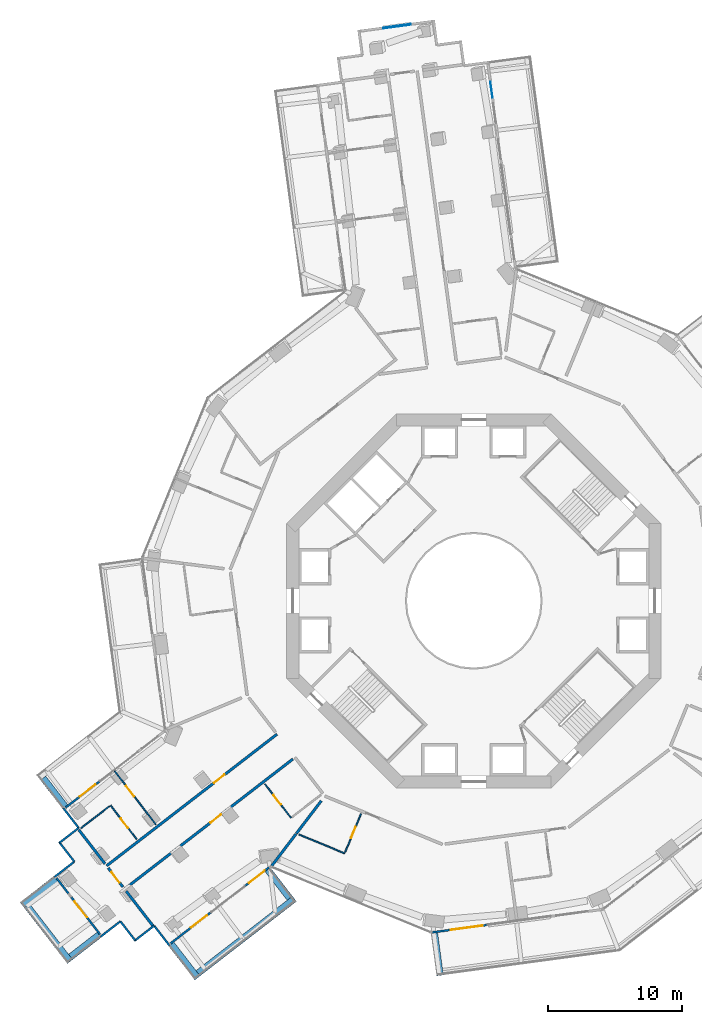
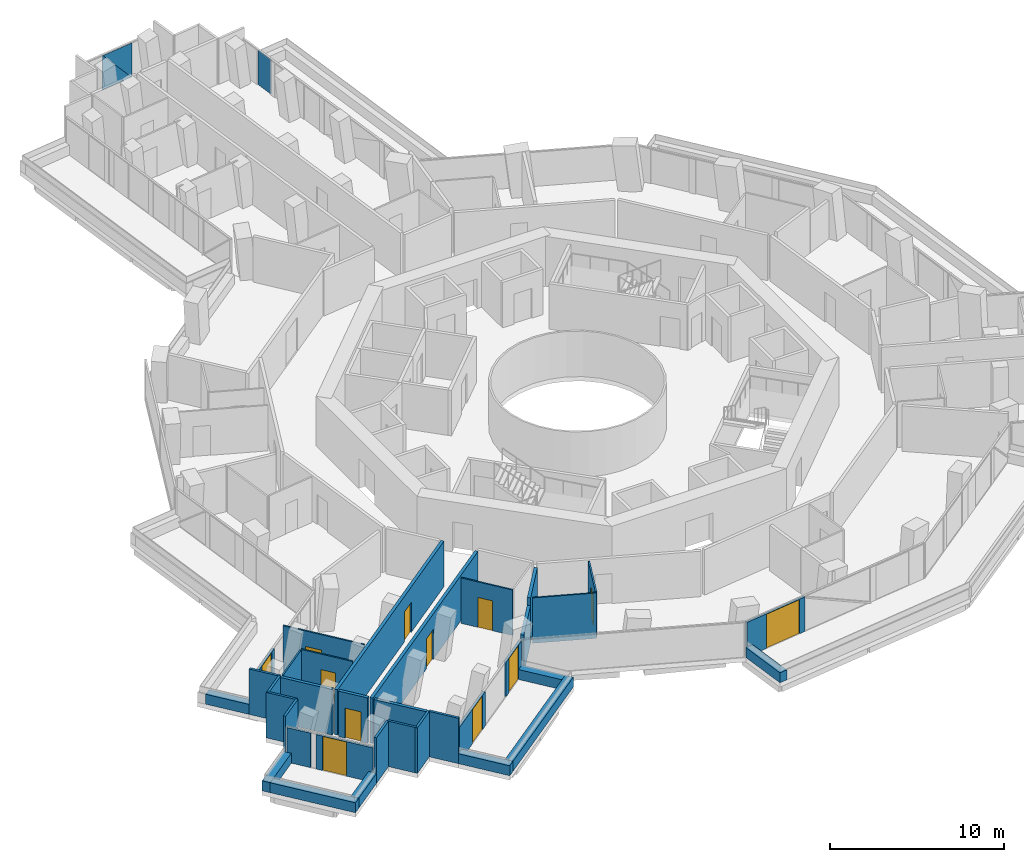
# One storey, part 18 of 27: 35 walls, 12 doors, 3 plates, 12 openings, 2 elements without a shape of their own.
"""IFC4 building model written with IfcOpenShell, lengths in metres."""

import ifcopenshell
import ifcopenshell.guid

model = None  # the IFC model being written
_history = None  # IfcOwnerHistory: only IFC2X3 demands one
_inside = {}  # id of a spatial element -> (the spatial element, [elements in it])
_under = {}  # id of a project, library or spatial element -> (it, [spatial elements below it])
_declared = {}  # id of a project -> (the project, [libraries it declares])
_typed = {}  # id of a type object -> (the type object, [elements of that type])
_made_of = {}  # id of a material, layer set ... -> (it, [elements and type objects made of it])


def new_model(schema):
    """Start an empty IFC model of exactly this schema.

    Asked for "IFC4X3", IfcOpenShell would pick the latest addendum, in which some entities
    have other attributes; the version numbers below select the first issue.
    IFC2X3 requires an IfcOwnerHistory on every rooted entity: one is made here for all.
    """
    global model, _history
    if schema == "IFC4X3":
        model = ifcopenshell.file(schema_version=(4, 3, 0, 0))
    else:
        model = ifcopenshell.file(schema=schema)
    _inside.clear()
    _under.clear()
    _declared.clear()
    _typed.clear()
    _made_of.clear()
    _history = None
    if model.schema == "IFC2X3":
        org = make("IfcOrganization", Name="unknown")
        user = make(
            "IfcPersonAndOrganization",
            ThePerson=make("IfcPerson", FamilyName="unknown"),
            TheOrganization=org,
        )
        app = make(
            "IfcApplication",
            ApplicationDeveloper=org,
            Version="unknown",
            ApplicationFullName="unknown",
            ApplicationIdentifier="unknown",
        )
        _history = make(
            "IfcOwnerHistory",
            OwningUser=user,
            OwningApplication=app,
            ChangeAction="ADDED",
            CreationDate=0,
        )
    return model


def make(cls, **values):
    """One entity of the class cls with the attributes given. An attribute that is None is left unset."""
    return model.create_entity(
        cls, **{name: value for name, value in values.items() if value is not None}
    )


def rooted(cls, **values):
    """An entity with a GlobalId (a new one), such as an element, a storey or a relation."""
    return make(cls, GlobalId=ifcopenshell.guid.new(), OwnerHistory=_history, **values)


def si_unit(unit_type, name, prefix=None):
    """IfcSIUnit, for example si_unit("LENGTHUNIT", "METRE", prefix="MILLI")."""
    return make("IfcSIUnit", UnitType=unit_type, Prefix=prefix, Name=name)


def assignment(units):
    """IfcUnitAssignment: the units of a project."""
    return None if units is None else make("IfcUnitAssignment", Units=units)


def point(xyz):
    """IfcCartesianPoint."""
    return None if xyz is None else make("IfcCartesianPoint", Coordinates=xyz)


def direction(xyz):
    """IfcDirection."""
    return None if xyz is None else make("IfcDirection", DirectionRatios=xyz)


def frame(location, z_axis=None, x_axis=None):
    """IfcAxis2Placement3D, a coordinate frame: its origin and axes. An axis left out is left unset."""
    return make(
        "IfcAxis2Placement3D",
        Location=point(location),
        Axis=direction(z_axis),
        RefDirection=direction(x_axis),
    )


def frame_2d(location, x_axis=None):
    """IfcAxis2Placement2D, a coordinate frame in the plane: its origin and x axis."""
    return make(
        "IfcAxis2Placement2D", Location=point(location), RefDirection=direction(x_axis)
    )


def origin():
    """The frame at (0, 0, 0) with its axes left unset."""
    return frame((0.0, 0.0, 0.0))


def origin_2d():
    """The frame at (0, 0) in the plane with its x axis left unset."""
    return frame_2d((0.0, 0.0))


def place(relative_to, where):
    """IfcLocalPlacement: puts the frame where relative to a parent placement (None: the world)."""
    return make(
        "IfcLocalPlacement", PlacementRelTo=relative_to, RelativePlacement=where
    )


def context(
    kind, dimensions, precision=None, world=None, true_north=None, identifier=None
):
    """IfcGeometricRepresentationContext, for example the 3D "Model" context."""
    return make(
        "IfcGeometricRepresentationContext",
        ContextIdentifier=identifier,
        ContextType=kind,
        CoordinateSpaceDimension=dimensions,
        Precision=precision,
        WorldCoordinateSystem=world,
        TrueNorth=true_north,
    )


def subcontext(parent, identifier, kind, view, scale=None):
    """IfcGeometricRepresentationSubContext, for example "Body" below "Model"."""
    return make(
        "IfcGeometricRepresentationSubContext",
        ContextIdentifier=identifier,
        ContextType=kind,
        ParentContext=parent,
        TargetScale=scale,
        TargetView=view,
    )


def project(units=None, contexts=None):
    """IfcProject with its units and contexts."""
    return rooted(
        "IfcProject",
        Name="project",
        RepresentationContexts=contexts,
        UnitsInContext=assignment(units),
    )


def spatial(cls, under=None, at=None, **own):
    """A site, building, storey or space (cls), placed at a placement, below another one or the project."""
    s = rooted(cls, ObjectPlacement=at, **own)
    if under is not None:
        _under.setdefault(under.id(), (under, []))[1].append(s)
    return s


def polyline(points):
    """IfcPolyline through the points."""
    return make("IfcPolyline", Points=[point(p) for p in points])


def profile(cls, at=None, kind="AREA", **sizes):
    """A parametric profile (cls). Its sizes go by their IFC names, for example OverallWidth=200.0."""
    return make(cls, ProfileType=kind, Position=at, **sizes)


def rectangle(**sizes):
    """IfcRectangleProfileDef."""
    return profile("IfcRectangleProfileDef", **sizes)


def outline(outer, holes=None, kind="AREA"):
    """IfcArbitraryClosedProfileDef: a profile drawn as a closed curve; with holes, ...WithVoids."""
    if holes is None:
        return make("IfcArbitraryClosedProfileDef", ProfileType=kind, OuterCurve=outer)
    return make(
        "IfcArbitraryProfileDefWithVoids",
        ProfileType=kind,
        OuterCurve=outer,
        InnerCurves=holes,
    )


def extrude(swept, where, along, depth):
    """IfcExtrudedAreaSolid: the profile swept, set in the frame where, extruded along a direction by depth."""
    return make(
        "IfcExtrudedAreaSolid",
        SweptArea=swept,
        Position=where,
        ExtrudedDirection=direction(along),
        Depth=depth,
    )


def shape(context_of_items, identifier, shape_type, items):
    """IfcShapeRepresentation: the items that make up one representation, for example the "Body"."""
    return make(
        "IfcShapeRepresentation",
        ContextOfItems=context_of_items,
        RepresentationIdentifier=identifier,
        RepresentationType=shape_type,
        Items=items,
    )


def material(Name=None, Category=None):
    """IfcMaterial."""
    return make("IfcMaterial", Name=Name, Category=Category)


def layer(
    of_material, thickness, ventilated=None, Name=None, Category=None, Priority=None
):
    """IfcMaterialLayer: one layer of a wall or slab, of a material (None: an air gap)."""
    return make(
        "IfcMaterialLayer",
        Material=of_material,
        LayerThickness=thickness,
        IsVentilated=ventilated,
        Name=Name,
        Category=Category,
        Priority=Priority,
    )


def layer_set(layers, Name=None):
    """IfcMaterialLayerSet."""
    return make("IfcMaterialLayerSet", MaterialLayers=layers, LayerSetName=Name)


def made_of(thing, what):
    """Note that an element or type object is made of a material, layer set ...; save() writes the relation."""
    if what is not None:
        _made_of.setdefault(what.id(), (what, []))[1].append(thing)
    return thing


def type_object(cls, material=None, **own):
    """A type object (cls), such as IfcWallType, which elements share."""
    return made_of(rooted(cls, **own), material)


def element(
    cls,
    number,
    at=None,
    inside=None,
    cuts=None,
    type_object=None,
    material=None,
    context=None,
    identifier="Body",
    shape_type=None,
    held_by="IfcProductDefinitionShape",
    body=None,
    shapes=None,
    **own,
):
    """One element of the class cls, such as IfcWall. Its Tag is "e" and its number.

    at: its placement. inside: the storey or other place that contains it. cuts: it is an
    opening in that element (IfcRelVoidsElement). A single representation is given by context,
    identifier, shape_type and body (its items); several are given by shapes. held_by: the class
    of the entity that holds the representations. save() writes the other relations.
    """
    e = rooted(cls, Tag="e%d" % number, ObjectPlacement=at, **own)
    if body is not None:
        shapes = [shape(context, identifier, shape_type, body)]
    if shapes is not None:
        e.Representation = make(held_by, Representations=shapes)
    if inside is not None:
        _inside.setdefault(inside.id(), (inside, []))[1].append(e)
    if cuts is not None:
        rooted(
            "IfcRelVoidsElement", RelatingBuildingElement=cuts, RelatedOpeningElement=e
        )
    if type_object is not None:
        _typed.setdefault(type_object.id(), (type_object, []))[1].append(e)
    return made_of(e, material)


def fill(opening, filler):
    """IfcRelFillsElement: the door or window that sits in an opening."""
    return rooted(
        "IfcRelFillsElement",
        RelatingOpeningElement=opening,
        RelatedBuildingElement=filler,
    )


def aggregate(whole, parts):
    """IfcRelAggregates: a whole, such as a stair, and the parts it consists of."""
    return rooted("IfcRelAggregates", RelatingObject=whole, RelatedObjects=parts)


def save(model, path):
    """Write the relations noted so far, then the file.

    IfcRelAggregates (storeys below a building ...), IfcRelContainedInSpatialStructure (elements
    in a storey), IfcRelDefinesByType, IfcRelAssociatesMaterial and IfcRelDeclares: one each for
    every whole, place, type object, material and project.
    """
    for whole, parts in _under.values():
        aggregate(whole, parts)
    for where, things in _inside.values():
        rooted(
            "IfcRelContainedInSpatialStructure",
            RelatedElements=things,
            RelatingStructure=where,
        )
    for kind, things in _typed.values():
        rooted("IfcRelDefinesByType", RelatedObjects=things, RelatingType=kind)
    for what, things in _made_of.values():
        rooted("IfcRelAssociatesMaterial", RelatedObjects=things, RelatingMaterial=what)
    for by, libraries in _declared.values():
        rooted("IfcRelDeclares", RelatingContext=by, RelatedDefinitions=libraries)
    model.write(path)


model = new_model("IFC4")

# Units and contexts
model_context = context("Model", 3, precision=1e-05, world=origin(), true_north=direction((0.0, 1.0)))
body_context = subcontext(model_context, "Body", "Model", "MODEL_VIEW")
ifc_project = project(units=[si_unit("LENGTHUNIT", "METRE"), si_unit("AREAUNIT", "SQUARE_METRE"), si_unit("VOLUMEUNIT", "CUBIC_METRE"), si_unit("PLANEANGLEUNIT", "RADIAN"), si_unit("MASSUNIT", "GRAM", prefix="KILO")], contexts=[model_context])

# Site, building, storey
site_placement = place(None, origin())
site = spatial("IfcSite", under=ifc_project, at=site_placement, CompositionType="ELEMENT")
building_placement = place(site_placement, origin())
building = spatial("IfcBuilding", under=site, at=building_placement, Name="Verdalira Terraces Hotel", CompositionType="ELEMENT")
storey_placement = place(building_placement, frame((0.0, 0.0, 64.5)))
storey = spatial("IfcBuildingStorey", under=building, at=storey_placement, Name="L14", CompositionType="ELEMENT", Elevation=64.5)

# Curtain wall, plate
ifc_material_1 = material(Name="Clear glass", Category="glass")
ifc_layer_1 = layer(ifc_material_1, 0.14990234375)
ifc_layer_set_1 = layer_set([ifc_layer_1], Name="CW2 curtain wall")
curtain_wall_type_1 = type_object("IfcCurtainWallType", Name="CW2 curtain wall", PredefinedType="NOTDEFINED", material=ifc_layer_set_1)
curtain_wall_1_placement = place(storey_placement, origin())
curtain_wall_1 = element("IfcCurtainWall", 1, at=curtain_wall_1_placement, inside=storey, type_object=curtain_wall_type_1, Name="CW2 curtain wall L14 edge 0", PredefinedType="NOTDEFINED")
ifc_material_2 = material(Name="Clear glass", Category="glass")
ifc_layer_2 = layer(ifc_material_2, 0.031982421875)
ifc_layer_set_2 = layer_set([ifc_layer_2], Name="CW2 glass unit 32")
plate_type_1 = type_object("IfcPlateType", Name="CW2 glass unit 32", PredefinedType="CURTAIN_PANEL", material=ifc_layer_set_2)
plate_1_placement = place(storey_placement, frame((1.324219, 38.257812, 0.0), z_axis=(0.0, 0.0, 1.0), x_axis=(-0.133640259, 0.991029909, 0.0)))
plate_1 = element("IfcPlate", 2, at=plate_1_placement, type_object=plate_type_1, Name="CW2 glass unit", PredefinedType="CURTAIN_PANEL", context=body_context, shape_type="SweptSolid", body=[
    extrude(rectangle(XDim=1.230469, YDim=0.031982, at=origin_2d()), origin(), (0.0, 0.0, 1.0), 2.425049),
])
aggregate(curtain_wall_1, [plate_1])

# Curtain wall, plates
ifc_material_3 = material(Name="Clear glass", Category="glass")
ifc_layer_3 = layer(ifc_material_3, 0.14990234375)
ifc_layer_set_3 = layer_set([ifc_layer_3], Name="CW3 curtain wall")
curtain_wall_type_2 = type_object("IfcCurtainWallType", Name="CW3 curtain wall", PredefinedType="NOTDEFINED", material=ifc_layer_set_3)
curtain_wall_2_placement = place(storey_placement, origin())
curtain_wall_2 = element("IfcCurtainWall", 3, at=curtain_wall_2_placement, inside=storey, type_object=curtain_wall_type_2, Name="CW3 curtain wall L14 edge 5", PredefinedType="NOTDEFINED")
ifc_material_4 = material(Name="Clear glass", Category="glass")
ifc_layer_4 = layer(ifc_material_4, 0.035888671875)
ifc_layer_set_4 = layer_set([ifc_layer_4], Name="CW3 glass unit 36")
plate_type_2 = type_object("IfcPlateType", Name="CW3 glass unit 36", PredefinedType="CURTAIN_PANEL", material=ifc_layer_set_4)
plate_2_placement = place(storey_placement, frame((-5.74292, 43.004639, 1.212402), z_axis=(-0.133640259, 0.991029909, 0.0), x_axis=(-0.991029909, -0.133640259, 0.0)))
plate_2 = element("IfcPlate", 4, at=plate_2_placement, type_object=plate_type_2, Name="CW3 glass unit", PredefinedType="CURTAIN_PANEL", context=body_context, shape_type="SweptSolid", body=[
    extrude(outline(polyline([(-1.045898, -1.212402), (1.045898, -1.212402), (1.045898, 1.212402), (-1.045898, -1.212402)])), origin(), (0.0, 0.0, 1.0), 0.035889),
])
plate_3_placement = place(storey_placement, frame((-5.738037, 42.968018, 1.212402), z_axis=(-0.133640259, 0.991029909, 0.0), x_axis=(-0.991029909, -0.133640259, 0.0)))
plate_3 = element("IfcPlate", 5, at=plate_3_placement, type_object=plate_type_2, Name="CW3 glass unit", PredefinedType="CURTAIN_PANEL", context=body_context, shape_type="SweptSolid", body=[
    extrude(outline(polyline([(-1.045898, -1.212402), (1.045898, 1.212402), (-1.045898, 1.212402), (-1.045898, -1.212402)])), origin(), (0.0, 0.0, 1.0), 0.035889),
])
aggregate(curtain_wall_2, [plate_2, plate_3])

# Walls
ifc_material_5 = material(Name="Concrete C40", Category="concrete")
ifc_layer_5 = layer(ifc_material_5, 0.5)
ifc_layer_set_5 = layer_set([ifc_layer_5], Name="Balcony planter trough with tree")
wall_type_1 = type_object("IfcWallType", Name="Balcony planter trough with tree", PredefinedType="SOLIDWALL", material=ifc_layer_set_5)
wall_1_placement = place(storey_placement, frame((-32.239014, -13.274658, 0.0), z_axis=(0.0, 0.0, 1.0), x_axis=(0.61125699, -0.791432178, 0.0)))
element("IfcWall", 6, at=wall_1_placement, inside=storey, type_object=wall_type_1, Name="Balcony planter", PredefinedType="SOLIDWALL", context=body_context, shape_type="SweptSolid", body=[
    extrude(rectangle(XDim=2.699219, YDim=0.5, at=frame_2d((1.349609, 0.0))), origin(), (0.0, 0.0, 1.0), 0.699951),
])
wall_2_placement = place(storey_placement, frame((-31.283203, -20.8125, 0.0), z_axis=(0.0, 0.0, 1.0), x_axis=(-0.791439394, -0.611247647, 0.0)))
element("IfcWall", 7, at=wall_2_placement, inside=storey, type_object=wall_type_1, Name="Balcony planter", PredefinedType="SOLIDWALL", context=body_context, shape_type="SweptSolid", body=[
    extrude(rectangle(XDim=3.198975, YDim=0.5, at=frame_2d((1.599609, 0.0))), origin(), (0.0, 0.0, 1.0), 0.699951),
])
wall_3_placement = place(storey_placement, frame((-33.464355, -22.812988, 0.0), z_axis=(0.0, 0.0, 1.0), x_axis=(0.611267878, -0.791423769, 0.0)))
element("IfcWall", 8, at=wall_3_placement, inside=storey, type_object=wall_type_1, Name="Balcony planter", PredefinedType="SOLIDWALL", context=body_context, shape_type="SweptSolid", body=[
    extrude(rectangle(XDim=5.300049, YDim=0.5, at=frame_2d((2.649902, 0.0))), origin(), (0.0, 0.0, 1.0), 0.699951),
])
wall_4_placement = place(storey_placement, frame((-30.179443, -26.656982, 0.0), z_axis=(0.0, 0.0, 1.0), x_axis=(0.791398379, 0.611300748, 0.0)))
element("IfcWall", 9, at=wall_4_placement, inside=storey, type_object=wall_type_1, Name="Balcony planter", PredefinedType="SOLIDWALL", context=body_context, shape_type="SweptSolid", body=[
    extrude(rectangle(XDim=2.698975, YDim=0.5, at=frame_2d((1.349609, 0.0))), origin(), (0.0, 0.0, 1.0), 0.699951),
])
wall_5_placement = place(storey_placement, frame((-22.641602, -25.701172, 0.0), z_axis=(0.0, 0.0, 1.0), x_axis=(0.611247647, -0.791439394, 0.0)))
element("IfcWall", 10, at=wall_5_placement, inside=storey, type_object=wall_type_1, Name="Balcony planter", PredefinedType="SOLIDWALL", context=body_context, shape_type="SweptSolid", body=[
    extrude(rectangle(XDim=3.198975, YDim=0.5, at=frame_2d((1.599609, 0.0))), origin(), (0.0, 0.0, 1.0), 0.699951),
])
wall_6_placement = place(storey_placement, frame((-20.641357, -27.88208, 0.0), z_axis=(0.0, 0.0, 1.0), x_axis=(0.791440382, 0.611246367, 0.0)))
element("IfcWall", 11, at=wall_6_placement, inside=storey, type_object=wall_type_1, Name="Balcony planter", PredefinedType="SOLIDWALL", context=body_context, shape_type="SweptSolid", body=[
    extrude(rectangle(XDim=9.121094, YDim=0.5, at=frame_2d((4.560547, 0.0))), origin(), (0.0, 0.0, 1.0), 0.699951),
])
wall_7_placement = place(storey_placement, frame((-13.773193, -22.261963, 0.0), z_axis=(0.0, 0.0, 1.0), x_axis=(-0.611300748, 0.791398379, 0.0)))
element("IfcWall", 12, at=wall_7_placement, inside=storey, type_object=wall_type_1, Name="Balcony planter", PredefinedType="SOLIDWALL", context=body_context, shape_type="SweptSolid", body=[
    extrude(rectangle(XDim=2.698975, YDim=0.5, at=frame_2d((1.349609, 0.0))), origin(), (0.0, 0.0, 1.0), 0.699951),
])
wall_8_placement = place(storey_placement, frame((-2.951904, -24.876953, 0.0), z_axis=(0.0, 0.0, 1.0), x_axis=(0.133628231, -0.991031531, 0.0)))
element("IfcWall", 13, at=wall_8_placement, inside=storey, type_object=wall_type_1, Name="Balcony planter", PredefinedType="SOLIDWALL", context=body_context, shape_type="SweptSolid", body=[
    extrude(rectangle(XDim=3.199219, YDim=0.5, at=frame_2d((1.599609, 0.0))), origin(), (0.0, 0.0, 1.0), 0.699951),
])
ifc_material_6 = material(Name="Moisture-resistant gypsum board partition")
ifc_layer_6 = layer(ifc_material_6, 0.10009765625)
ifc_layer_set_6 = layer_set([ifc_layer_6], Name="Bathroom partition 100 mm")
wall_type_2 = type_object("IfcWallType", Name="Bathroom partition 100 mm", PredefinedType="PARTITIONING", material=ifc_layer_set_6)
wall_9_placement = place(storey_placement, frame((-27.268799, -15.374512, 0.0), z_axis=(0.0, 0.0, 1.0), x_axis=(-0.791446045, -0.611239034, 0.0)))
element("IfcWall", 14, at=wall_9_placement, inside=storey, type_object=wall_type_2, Name="Bathroom partition", PredefinedType="PARTITIONING", context=body_context, shape_type="SweptSolid", body=[
    extrude(rectangle(XDim=2.700195, YDim=0.100098, at=frame_2d((1.350098, 0.0))), origin(), (0.0, 0.0, 1.0), 3.189941),
])

# Wall, opening, door
wall_10_placement = place(storey_placement, frame((-25.233643, -17.846191, 0.0), z_axis=(0.0, 0.0, 1.0), x_axis=(-0.61124338, 0.791442689, 0.0)))
wall_10 = element("IfcWall", 15, at=wall_10_placement, inside=storey, type_object=wall_type_2, Name="Bathroom partition", PredefinedType="PARTITIONING", context=body_context, shape_type="SweptSolid", body=[
    extrude(rectangle(XDim=3.200195, YDim=0.100098, at=frame_2d((1.600098, 0.0))), origin(), (0.0, 0.0, 1.0), 3.189941),
])
opening_1_placement = place(wall_10_placement, frame((1.050049, 0.0, 0.0)))
opening_1 = element("IfcOpeningElement", 16, at=opening_1_placement, cuts=wall_10, Name="Opening L14-116", PredefinedType="OPENING", context=body_context, shape_type="SweptSolid", body=[
    extrude(rectangle(XDim=0.899902, YDim=2.100098, at=frame_2d((0.449951, 1.050049))), frame((0.0, 0.060059, 0.0), z_axis=(0.0, -1.0, 0.0), x_axis=(1.0, 0.0, 0.0)), (0.0, 0.0, 1.0), 0.120117),
])
ifc_material_7 = material(Name="Timber door", Category="wood")
door_type_1 = type_object("IfcDoorType", Name="Bathroom door 900 x 2100", OperationType="NOTDEFINED", PredefinedType="DOOR", material=ifc_material_7)
door_1_placement = place(opening_1_placement, origin())
door_1 = element("IfcDoor", 17, at=door_1_placement, inside=storey, type_object=door_type_1, Name="Bathroom door 1406", OperationType="SINGLE_SWING_RIGHT", OverallHeight=2.10009765625, OverallWidth=0.89990234375, PredefinedType="DOOR", context=body_context, shape_type="SweptSolid", body=[
    extrude(rectangle(XDim=0.899902, YDim=2.100098, at=frame_2d((0.449951, 1.050049))), frame((0.0, 0.024902, 0.0), z_axis=(0.0, -1.0, 0.0), x_axis=(1.0, 0.0, 0.0)), (0.0, 0.0, 1.0), 0.050049),
])
fill(opening_1, door_1)

wall_11_placement = place(storey_placement, frame((-23.800781, -16.739502, 0.0), z_axis=(0.0, 0.0, 1.0), x_axis=(-0.611256235, 0.791432761, 0.0)))
wall_11 = element("IfcWall", 18, at=wall_11_placement, inside=storey, type_object=wall_type_2, Name="Bathroom partition", PredefinedType="PARTITIONING", context=body_context, shape_type="SweptSolid", body=[
    extrude(rectangle(XDim=5.050049, YDim=0.100098, at=frame_2d((2.524902, 0.0))), origin(), (0.0, 0.0, 1.0), 3.189941),
])
opening_2_placement = place(wall_11_placement, frame((2.649902, 0.0, 0.0)))
opening_2 = element("IfcOpeningElement", 19, at=opening_2_placement, cuts=wall_11, Name="Opening L14-115", PredefinedType="OPENING", context=body_context, shape_type="SweptSolid", body=[
    extrude(rectangle(XDim=1.0, YDim=2.100098, at=frame_2d((0.5, 1.050049))), frame((0.0, 0.060059, 0.0), z_axis=(0.0, -1.0, 0.0), x_axis=(1.0, 0.0, 0.0)), (0.0, 0.0, 1.0), 0.120117),
])
ifc_material_8 = material(Name="Timber door", Category="wood")
door_type_2 = type_object("IfcDoorType", Name="Suite internal door 1000 x 2100", OperationType="NOTDEFINED", PredefinedType="DOOR", material=ifc_material_8)
door_2_placement = place(opening_2_placement, origin())
door_2 = element("IfcDoor", 20, at=door_2_placement, inside=storey, type_object=door_type_2, Name="Suite internal door 1406", OperationType="SINGLE_SWING_LEFT", OverallHeight=2.10009765625, OverallWidth=1.0, PredefinedType="DOOR", context=body_context, shape_type="SweptSolid", body=[
    extrude(rectangle(XDim=1.0, YDim=2.100098, at=frame_2d((0.5, 1.050049))), frame((0.0, 0.024902, 0.0), z_axis=(0.0, -1.0, 0.0), x_axis=(1.0, 0.0, 0.0)), (0.0, 0.0, 1.0), 0.050049),
])
fill(opening_2, door_2)

wall_12_placement = place(storey_placement, frame((-15.634277, -13.717285, 0.0), z_axis=(0.0, 0.0, 1.0), x_axis=(0.61124338, -0.791442689, 0.0)))
wall_12 = element("IfcWall", 21, at=wall_12_placement, inside=storey, type_object=wall_type_2, Name="Bathroom partition", PredefinedType="PARTITIONING", context=body_context, shape_type="SweptSolid", body=[
    extrude(rectangle(XDim=3.200195, YDim=0.100098, at=frame_2d((1.600098, 0.0))), origin(), (0.0, 0.0, 1.0), 3.189941),
])
opening_3_placement = place(wall_12_placement, frame((1.050049, 0.0, 0.0)))
opening_3 = element("IfcOpeningElement", 22, at=opening_3_placement, cuts=wall_12, Name="Opening L14-119", PredefinedType="OPENING", context=body_context, shape_type="SweptSolid", body=[
    extrude(rectangle(XDim=0.899902, YDim=2.100098, at=frame_2d((0.449951, 1.050049))), frame((0.0, 0.060059, 0.0), z_axis=(0.0, -1.0, 0.0), x_axis=(1.0, 0.0, 0.0)), (0.0, 0.0, 1.0), 0.120117),
])
door_3_placement = place(opening_3_placement, origin())
door_3 = element("IfcDoor", 23, at=door_3_placement, inside=storey, type_object=door_type_1, Name="Bathroom door 1408", OperationType="SINGLE_SWING_RIGHT", OverallHeight=2.10009765625, OverallWidth=0.89990234375, PredefinedType="DOOR", context=body_context, shape_type="SweptSolid", body=[
    extrude(rectangle(XDim=0.899902, YDim=2.100098, at=frame_2d((0.449951, 1.050049))), frame((0.0, 0.024902, 0.0), z_axis=(0.0, -1.0, 0.0), x_axis=(1.0, 0.0, 0.0)), (0.0, 0.0, 1.0), 0.050049),
])
fill(opening_3, door_3)

# Wall
wall_13_placement = place(storey_placement, frame((-9.662109, -18.905273, 0.0), z_axis=(0.0, 0.0, 1.0), x_axis=(-0.925065314, 0.379808062, 0.0)))
element("IfcWall", 24, at=wall_13_placement, inside=storey, type_object=wall_type_2, Name="Bathroom partition", PredefinedType="PARTITIONING", context=body_context, shape_type="SweptSolid", body=[
    extrude(rectangle(XDim=3.703857, YDim=0.100098, at=frame_2d((1.852051, 0.0))), origin(), (0.0, 0.0, 1.0), 3.189941),
])

# Wall, opening, door
wall_14_placement = place(storey_placement, frame((-9.624023, -18.812744, 0.0), z_axis=(0.0, 0.0, 1.0), x_axis=(0.379767222, 0.925082081, 0.0)))
wall_14 = element("IfcWall", 25, at=wall_14_placement, inside=storey, type_object=wall_type_2, Name="Bathroom partition", PredefinedType="PARTITIONING", context=body_context, shape_type="SweptSolid", body=[
    extrude(rectangle(XDim=3.099854, YDim=0.100098, at=frame_2d((1.549805, 0.0))), origin(), (0.0, 0.0, 1.0), 3.189941),
])
opening_4_placement = place(wall_14_placement, frame((1.149902, 0.0, 0.0)))
opening_4 = element("IfcOpeningElement", 26, at=opening_4_placement, cuts=wall_14, Name="Opening L14-121", PredefinedType="OPENING", context=body_context, shape_type="SweptSolid", body=[
    extrude(rectangle(XDim=0.899902, YDim=2.100098, at=frame_2d((0.449951, 1.050049))), frame((0.0, 0.060059, 0.0), z_axis=(0.0, -1.0, 0.0), x_axis=(1.0, 0.0, 0.0)), (0.0, 0.0, 1.0), 0.120117),
])
door_4_placement = place(opening_4_placement, origin())
door_4 = element("IfcDoor", 27, at=door_4_placement, inside=storey, type_object=door_type_1, Name="Bathroom door 1409", OperationType="SINGLE_SWING_LEFT", OverallHeight=2.10009765625, OverallWidth=0.89990234375, PredefinedType="DOOR", context=body_context, shape_type="SweptSolid", body=[
    extrude(rectangle(XDim=0.899902, YDim=2.100098, at=frame_2d((0.449951, 1.050049))), frame((0.0, 0.024902, 0.0), z_axis=(0.0, -1.0, 0.0), x_axis=(1.0, 0.0, 0.0)), (0.0, 0.0, 1.0), 0.050049),
])
fill(opening_4, door_4)

# Walls
ifc_material_9 = material(Name="Fire-rated gypsum board wall")
ifc_layer_7 = layer(ifc_material_9, 0.199951171875)
ifc_layer_set_7 = layer_set([ifc_layer_7], Name="Demising wall 200 mm")
wall_type_3 = type_object("IfcWallType", Name="Demising wall 200 mm", PredefinedType="SOLIDWALL", material=ifc_layer_set_7)
wall_15_placement = place(storey_placement, frame((-29.565186, -17.145752, 0.0), z_axis=(0.0, 0.0, 1.0), x_axis=(0.611278328, -0.791415697, 0.0)))
element("IfcWall", 28, at=wall_15_placement, inside=storey, type_object=wall_type_3, Name="Demising wall", PredefinedType="SOLIDWALL", context=body_context, shape_type="SweptSolid", body=[
    extrude(rectangle(XDim=3.203857, YDim=0.199951, at=frame_2d((1.602051, 0.0))), origin(), (0.0, 0.0, 1.0), 3.189941),
])
wall_16_placement = place(storey_placement, frame((-26.02002, -21.736084, 0.0), z_axis=(0.0, 0.0, 1.0), x_axis=(0.611302205, -0.791397254, 0.0)))
element("IfcWall", 29, at=wall_16_placement, inside=storey, type_object=wall_type_3, Name="Demising wall", PredefinedType="SOLIDWALL", context=body_context, shape_type="SweptSolid", body=[
    extrude(rectangle(XDim=3.252197, YDim=0.199951, at=frame_2d((1.625977, 0.0))), origin(), (0.0, 0.0, 1.0), 3.189941),
])
wall_17_placement = place(storey_placement, frame((-11.417236, -14.976318, 0.0), z_axis=(0.0, 0.0, 1.0), x_axis=(-0.60623219, -0.795287704, 0.0)))
element("IfcWall", 30, at=wall_17_placement, inside=storey, type_object=wall_type_3, Name="Demising wall", PredefinedType="SOLIDWALL", context=body_context, shape_type="SweptSolid", body=[
    extrude(rectangle(XDim=3.074707, YDim=0.199951, at=frame_2d((1.537354, 0.0))), origin(), (0.0, 0.0, 1.0), 3.189941),
])
ifc_material_10 = material(Name="Fire-rated gypsum board wall")
ifc_layer_8 = layer(ifc_material_10, 0.199951171875)
ifc_layer_set_8 = layer_set([ifc_layer_8], Name="Demising wall 200 mm to beam soffit")
wall_type_4 = type_object("IfcWallType", Name="Demising wall 200 mm to beam soffit", PredefinedType="SOLIDWALL", material=ifc_layer_set_8)
wall_18_placement = place(storey_placement, frame((-13.309082, -17.458008, 0.0), z_axis=(0.0, 0.0, 1.0), x_axis=(-0.606272803, -0.795256743, 0.0)))
element("IfcWall", 31, at=wall_18_placement, inside=storey, type_object=wall_type_4, Name="Demising wall", PredefinedType="SOLIDWALL", context=body_context, shape_type="SweptSolid", body=[
    extrude(rectangle(XDim=3.01123, YDim=0.199951, at=frame_2d((1.505615, 0.0))), origin(), (0.0, 0.0, 1.0), 2.689941),
])

# Wall, opening, door
ifc_material_11 = material(Name="Fire-rated gypsum board wall")
ifc_layer_9 = layer(ifc_material_11, 0.199951171875)
ifc_layer_set_9 = layer_set([ifc_layer_9], Name="Guest corridor wall 200 mm")
wall_type_5 = type_object("IfcWallType", Name="Guest corridor wall 200 mm", PredefinedType="SOLIDWALL", material=ifc_layer_set_9)
wall_19_placement = place(storey_placement, frame((-26.261963, -21.422607, 0.0), z_axis=(0.0, 0.0, 1.0), x_axis=(-0.611285723, 0.791409986, 0.0)))
wall_19 = element("IfcWall", 32, at=wall_19_placement, inside=storey, type_object=wall_type_5, Name="Guest corridor wall", PredefinedType="SOLIDWALL", context=body_context, shape_type="SweptSolid", body=[
    extrude(rectangle(XDim=1.803955, YDim=0.199951, at=frame_2d((0.901855, 0.0))), origin(), (0.0, 0.0, 1.0), 3.189941),
])
opening_5_placement = place(wall_19_placement, frame((0.399902, 0.0, 0.0)))
opening_5 = element("IfcOpeningElement", 33, at=opening_5_placement, cuts=wall_19, Name="Opening L14-117", PredefinedType="OPENING", context=body_context, shape_type="SweptSolid", body=[
    extrude(rectangle(XDim=1.0, YDim=2.100098, at=frame_2d((0.5, 1.050049))), frame((0.0, 0.109863, 0.0), z_axis=(0.0, -1.0, 0.0), x_axis=(1.0, 0.0, 0.0)), (0.0, 0.0, 1.0), 0.219971),
])
ifc_material_12 = material(Name="Timber door", Category="wood")
door_type_3 = type_object("IfcDoorType", Name="Lounge door 1000 x 2100", OperationType="NOTDEFINED", PredefinedType="DOOR", material=ifc_material_12)
door_5_placement = place(opening_5_placement, origin())
door_5 = element("IfcDoor", 34, at=door_5_placement, inside=storey, type_object=door_type_3, Name="Lounge door 1407", OperationType="SINGLE_SWING_LEFT", OverallHeight=2.10009765625, OverallWidth=1.0, PredefinedType="DOOR", context=body_context, shape_type="SweptSolid", body=[
    extrude(rectangle(XDim=1.0, YDim=2.100098, at=frame_2d((0.5, 1.050049))), frame((0.0, 0.024902, 0.0), z_axis=(0.0, -1.0, 0.0), x_axis=(1.0, 0.0, 0.0)), (0.0, 0.0, 1.0), 0.050049),
])
fill(opening_5, door_5)

wall_20_placement = place(storey_placement, frame((-27.485596, -19.838135, 0.0), z_axis=(0.0, 0.0, 1.0), x_axis=(0.791431192, 0.611258267, 0.0)))
wall_20 = element("IfcWall", 35, at=wall_20_placement, inside=storey, type_object=wall_type_5, Name="Guest corridor wall", PredefinedType="SOLIDWALL", context=body_context, shape_type="SweptSolid", body=[
    extrude(rectangle(XDim=16.12085, YDim=0.199951, at=frame_2d((8.060547, 0.0))), origin(), (0.0, 0.0, 1.0), 3.189941),
])
opening_6_placement = place(wall_20_placement, frame((10.1604, 0.0, 0.0)))
opening_6 = element("IfcOpeningElement", 36, at=opening_6_placement, cuts=wall_20, Name="Opening L14-114", PredefinedType="OPENING", context=body_context, shape_type="SweptSolid", body=[
    extrude(rectangle(XDim=1.0, YDim=2.100098, at=frame_2d((0.5, 1.050049))), frame((0.0, 0.109863, 0.0), z_axis=(0.0, -1.0, 0.0), x_axis=(1.0, 0.0, 0.0)), (0.0, 0.0, 1.0), 0.219971),
])
ifc_material_13 = material(Name="Timber fire door", Category="wood")
door_type_4 = type_object("IfcDoorType", Name="Guest entry door 1000 x 2100", OperationType="NOTDEFINED", PredefinedType="DOOR", material=ifc_material_13)
door_6_placement = place(opening_6_placement, origin())
door_6 = element("IfcDoor", 37, at=door_6_placement, inside=storey, type_object=door_type_4, Name="Guest entry door 1406", OperationType="SINGLE_SWING_LEFT", OverallHeight=2.10009765625, OverallWidth=1.0, PredefinedType="DOOR", context=body_context, shape_type="SweptSolid", body=[
    extrude(rectangle(XDim=1.0, YDim=2.100098, at=frame_2d((0.5, 1.050049))), frame((0.0, 0.024902, 0.0), z_axis=(0.0, -1.0, 0.0), x_axis=(1.0, 0.0, 0.0)), (0.0, 0.0, 1.0), 0.050049),
])
fill(opening_6, door_6)

wall_21_placement = place(storey_placement, frame((-13.540527, -11.847656, 0.0), z_axis=(0.0, 0.0, 1.0), x_axis=(-0.791435051, -0.611253271, 0.0)))
wall_21 = element("IfcWall", 38, at=wall_21_placement, inside=storey, type_object=wall_type_5, Name="Guest corridor wall", PredefinedType="SOLIDWALL", context=body_context, shape_type="SweptSolid", body=[
    extrude(rectangle(XDim=15.920898, YDim=0.199951, at=frame_2d((7.960449, 0.0))), origin(), (0.0, 0.0, 1.0), 3.189941),
])
opening_7_placement = place(wall_21_placement, frame((6.800049, 0.0, 0.0)))
opening_7 = element("IfcOpeningElement", 39, at=opening_7_placement, cuts=wall_21, Name="Opening L14-118", PredefinedType="OPENING", context=body_context, shape_type="SweptSolid", body=[
    extrude(rectangle(XDim=1.0, YDim=2.100098, at=frame_2d((0.5, 1.050049))), frame((0.0, 0.109863, 0.0), z_axis=(0.0, -1.0, 0.0), x_axis=(1.0, 0.0, 0.0)), (0.0, 0.0, 1.0), 0.219971),
])
door_7_placement = place(opening_7_placement, origin())
door_7 = element("IfcDoor", 40, at=door_7_placement, inside=storey, type_object=door_type_4, Name="Guest entry door 1408", OperationType="SINGLE_SWING_RIGHT", OverallHeight=2.10009765625, OverallWidth=1.0, PredefinedType="DOOR", context=body_context, shape_type="SweptSolid", body=[
    extrude(rectangle(XDim=1.0, YDim=2.100098, at=frame_2d((0.5, 1.050049))), frame((0.0, 0.024902, 0.0), z_axis=(0.0, -1.0, 0.0), x_axis=(1.0, 0.0, 0.0)), (0.0, 0.0, 1.0), 0.050049),
])
fill(opening_7, door_7)

# Walls
ifc_material_14 = material(Name="Terracotta cladding", Category="masonry")
ifc_layer_10 = layer(ifc_material_14, 0.14990234375)
ifc_layer_set_10 = layer_set([ifc_layer_10], Name="Terracotta clad wall 150")
wall_type_6 = type_object("IfcWallType", Name="Terracotta clad wall 150", PredefinedType="SOLIDWALL", material=ifc_layer_set_10)
wall_22_placement = place(storey_placement, frame((-30.727051, -15.518555, 0.0), z_axis=(0.0, 0.0, 1.0), x_axis=(0.61123253, -0.791451069, 0.0)))
element("IfcWall", 41, at=wall_22_placement, inside=storey, type_object=wall_type_6, Name="Terracotta cladding wall", PredefinedType="SOLIDWALL", context=body_context, shape_type="SweptSolid", body=[
    extrude(rectangle(XDim=1.875, YDim=0.149902, at=frame_2d((0.9375, 0.0))), origin(), (0.0, 0.0, 1.0), 3.189941),
])
wall_23_placement = place(storey_placement, frame((-29.581055, -17.002441, 0.0), z_axis=(0.0, 0.0, 1.0), x_axis=(-0.791407282, -0.611289223, 0.0)))
element("IfcWall", 42, at=wall_23_placement, inside=storey, type_object=wall_type_6, Name="Terracotta cladding wall", PredefinedType="SOLIDWALL", context=body_context, shape_type="SweptSolid", body=[
    extrude(rectangle(XDim=1.800049, YDim=0.149902, at=frame_2d((0.899902, 0.0))), origin(), (0.0, 0.0, 1.0), 3.189941),
])
for number, where, z_axis, x_axis, name in (
    (43, (-31.051514, -18.043457, 0.0), (0.0, 0.0, 1.0), (0.611314087, -0.791388076, 0.0), "Terracotta cladding wall"),
    (44, (-29.905273, -19.527344, 0.0), (0.0, 0.0, 1.0), (-0.791451069, -0.61123253, 0.0), "Terracotta cladding wall"),
    (45, (-27.935791, -25.14502, 0.0), (0.0, 0.0, 1.0), (0.791499711, 0.611169541, 0.0), "Terracotta cladding wall"),
):
    element("IfcWall", number, at=place(storey_placement, frame(where, z_axis=z_axis, x_axis=x_axis)), inside=storey, type_object=wall_type_6, Name=name, PredefinedType="SOLIDWALL", context=body_context, shape_type="SweptSolid", body=[
        extrude(rectangle(XDim=1.875, YDim=0.149902, at=frame_2d((0.9375, 0.0))), origin(), (0.0, 0.0, 1.0), 3.189941),
    ])
wall_24_placement = place(storey_placement, frame((-26.45166, -23.999023, 0.0), z_axis=(0.0, 0.0, 1.0), x_axis=(0.611204264, -0.791472898, 0.0)))
element("IfcWall", 46, at=wall_24_placement, inside=storey, type_object=wall_type_6, Name="Terracotta cladding wall", PredefinedType="SOLIDWALL", context=body_context, shape_type="SweptSolid", body=[
    extrude(rectangle(XDim=1.799805, YDim=0.149902, at=frame_2d((0.899902, 0.0))), origin(), (0.0, 0.0, 1.0), 3.189941),
])
for number, where, z_axis, x_axis, name in (
    (47, (-25.410889, -25.469482, 0.0), (0.0, 0.0, 1.0), (0.791388076, 0.611314087, 0.0), "Terracotta cladding wall"),
    (48, (-23.927002, -24.323242, 0.0), (0.0, 0.0, 1.0), (0.611314087, -0.791388076, 0.0), "Terracotta cladding wall"),
):
    element("IfcWall", number, at=place(storey_placement, frame(where, z_axis=z_axis, x_axis=x_axis)), inside=storey, type_object=wall_type_6, Name=name, PredefinedType="SOLIDWALL", context=body_context, shape_type="SweptSolid", body=[
        extrude(rectangle(XDim=1.875, YDim=0.149902, at=frame_2d((0.9375, 0.0))), origin(), (0.0, 0.0, 1.0), 3.189941),
    ])
ifc_material_15 = material(Name="Terracotta cladding", Category="masonry")
ifc_layer_11 = layer(ifc_material_15, 0.14990234375)
ifc_layer_set_11 = layer_set([ifc_layer_11], Name="Terracotta column pier 150")
wall_type_7 = type_object("IfcWallType", Name="Terracotta column pier 150", PredefinedType="SOLIDWALL", material=ifc_layer_set_11)
wall_25_placement = place(storey_placement, frame((-31.235107, -20.750244, 0.0), z_axis=(0.0, 0.0, 1.0), x_axis=(0.611155759, -0.791510353, 0.0)))
element("IfcWall", 49, at=wall_25_placement, inside=storey, type_object=wall_type_7, Name="Terracotta column pier", PredefinedType="SOLIDWALL", context=body_context, shape_type="SweptSolid", body=[
    extrude(rectangle(XDim=1.476807, YDim=0.149902, at=frame_2d((0.738281, 0.0))), origin(), (0.0, 0.0, 1.0), 2.425049),
])

# Wall, opening, door
ifc_material_16 = material(Name="Terracotta cladding", Category="masonry")
ifc_layer_12 = layer(ifc_material_16, 0.14990234375)
ifc_layer_set_12 = layer_set([ifc_layer_12], Name="Terracotta door pier 150")
wall_type_8 = type_object("IfcWallType", Name="Terracotta door pier 150", PredefinedType="SOLIDWALL", material=ifc_layer_set_12)
wall_26_placement = place(storey_placement, frame((-27.989746, -13.499268, 0.0), z_axis=(0.0, 0.0, 1.0), x_axis=(-0.791443298, -0.611242592, 0.0)))
wall_26 = element("IfcWall", 50, at=wall_26_placement, inside=storey, type_object=wall_type_8, Name="Terracotta door pier", PredefinedType="SOLIDWALL", context=body_context, shape_type="SweptSolid", body=[
    extrude(rectangle(XDim=3.255615, YDim=0.149902, at=frame_2d((1.62793, 0.0))), origin(), (0.0, 0.0, 1.0), 2.425049),
])
opening_8_placement = place(wall_26_placement, frame((0.399902, 0.0, 0.0)))
opening_8 = element("IfcOpeningElement", 51, at=opening_8_placement, cuts=wall_26, Name="Opening L14-B10", PredefinedType="OPENING", context=body_context, shape_type="SweptSolid", body=[
    extrude(rectangle(XDim=1.5, YDim=2.399902, at=frame_2d((0.75, 1.199951))), frame((0.0, 0.084961, 0.0), z_axis=(0.0, -1.0, 0.0), x_axis=(1.0, 0.0, 0.0)), (0.0, 0.0, 1.0), 0.169922),
])
ifc_material_17 = material(Name="Clear glass", Category="glass")
door_type_5 = type_object("IfcDoorType", Name="Balcony sliding door 1500x2400", OperationType="NOTDEFINED", PredefinedType="DOOR", material=ifc_material_17)
door_8_placement = place(opening_8_placement, origin())
door_8 = element("IfcDoor", 52, at=door_8_placement, inside=storey, type_object=door_type_5, Name="Balcony sliding door", OperationType="SLIDING_TO_RIGHT", OverallHeight=2.39990234375, OverallWidth=1.5, PredefinedType="DOOR", context=body_context, shape_type="SweptSolid", body=[
    extrude(rectangle(XDim=1.5, YDim=2.399902, at=frame_2d((0.75, 1.199951))), frame((0.0, 0.024902, 0.0), z_axis=(0.0, -1.0, 0.0), x_axis=(1.0, 0.0, 0.0)), (0.0, 0.0, 1.0), 0.050049),
])
fill(opening_8, door_8)

wall_27_placement = place(storey_placement, frame((-30.128906, -22.182861, 0.0), z_axis=(0.0, 0.0, 1.0), x_axis=(0.611260485, -0.791429478, 0.0)))
wall_27 = element("IfcWall", 53, at=wall_27_placement, inside=storey, type_object=wall_type_8, Name="Terracotta door pier", PredefinedType="SOLIDWALL", context=body_context, shape_type="SweptSolid", body=[
    extrude(rectangle(XDim=3.530029, YDim=0.149902, at=frame_2d((1.765137, 0.0))), origin(), (0.0, 0.0, 1.0), 2.425049),
])
opening_9_placement = place(wall_27_placement, frame((0.399902, 0.0, 0.0)))
opening_9 = element("IfcOpeningElement", 54, at=opening_9_placement, cuts=wall_27, Name="Opening L14-B11", PredefinedType="OPENING", context=body_context, shape_type="SweptSolid", body=[
    extrude(rectangle(XDim=1.5, YDim=2.399902, at=frame_2d((0.75, 1.199951))), frame((0.0, 0.084961, 0.0), z_axis=(0.0, -1.0, 0.0), x_axis=(1.0, 0.0, 0.0)), (0.0, 0.0, 1.0), 0.169922),
])
door_9_placement = place(opening_9_placement, origin())
door_9 = element("IfcDoor", 55, at=door_9_placement, inside=storey, type_object=door_type_5, Name="Balcony sliding door", OperationType="SLIDING_TO_RIGHT", OverallHeight=2.39990234375, OverallWidth=1.5, PredefinedType="DOOR", context=body_context, shape_type="SweptSolid", body=[
    extrude(rectangle(XDim=1.5, YDim=2.399902, at=frame_2d((0.75, 1.199951))), frame((0.0, 0.024902, 0.0), z_axis=(0.0, -1.0, 0.0), x_axis=(1.0, 0.0, 0.0)), (0.0, 0.0, 1.0), 0.050049),
])
fill(opening_9, door_9)

wall_28_placement = place(storey_placement, frame((-22.711914, -25.65918, 0.0), z_axis=(0.0, 0.0, 1.0), x_axis=(0.791436426, 0.61125149, 0.0)))
wall_28 = element("IfcWall", 56, at=wall_28_placement, inside=storey, type_object=wall_type_8, Name="Terracotta door pier", PredefinedType="SOLIDWALL", context=body_context, shape_type="SweptSolid", body=[
    extrude(rectangle(XDim=3.864258, YDim=0.149902, at=frame_2d((1.932129, 0.0))), origin(), (0.0, 0.0, 1.0), 2.425049),
])
opening_10_placement = place(wall_28_placement, frame((1.964111, 0.0, 0.0)))
opening_10 = element("IfcOpeningElement", 57, at=opening_10_placement, cuts=wall_28, Name="Opening L14-B12", PredefinedType="OPENING", context=body_context, shape_type="SweptSolid", body=[
    extrude(rectangle(XDim=1.5, YDim=2.399902, at=frame_2d((0.75, 1.199951))), frame((0.0, 0.084961, 0.0), z_axis=(0.0, -1.0, 0.0), x_axis=(1.0, 0.0, 0.0)), (0.0, 0.0, 1.0), 0.169922),
])
door_10_placement = place(opening_10_placement, origin())
door_10 = element("IfcDoor", 58, at=door_10_placement, inside=storey, type_object=door_type_5, Name="Balcony sliding door", OperationType="SLIDING_TO_LEFT", OverallHeight=2.39990234375, OverallWidth=1.5, PredefinedType="DOOR", context=body_context, shape_type="SweptSolid", body=[
    extrude(rectangle(XDim=1.5, YDim=2.399902, at=frame_2d((0.75, 1.199951))), frame((0.0, 0.024902, 0.0), z_axis=(0.0, -1.0, 0.0), x_axis=(1.0, 0.0, 0.0)), (0.0, 0.0, 1.0), 0.050049),
])
fill(opening_10, door_10)

wall_29_placement = place(storey_placement, frame((-17.147461, -21.361572, 0.0), z_axis=(0.0, 0.0, 1.0), x_axis=(0.79146239, 0.61121787, 0.0)))
wall_29 = element("IfcWall", 59, at=wall_29_placement, inside=storey, type_object=wall_type_8, Name="Terracotta door pier", PredefinedType="SOLIDWALL", context=body_context, shape_type="SweptSolid", body=[
    extrude(rectangle(XDim=2.300049, YDim=0.149902, at=frame_2d((1.149902, 0.0))), origin(), (0.0, 0.0, 1.0), 2.425049),
])
opening_11_placement = place(wall_29_placement, frame((0.399902, 0.0, 0.0)))
opening_11 = element("IfcOpeningElement", 60, at=opening_11_placement, cuts=wall_29, Name="Opening L14-B13", PredefinedType="OPENING", context=body_context, shape_type="SweptSolid", body=[
    extrude(rectangle(XDim=1.5, YDim=2.399902, at=frame_2d((0.75, 1.199951))), frame((0.0, 0.084961, 0.0), z_axis=(0.0, -1.0, 0.0), x_axis=(1.0, 0.0, 0.0)), (0.0, 0.0, 1.0), 0.169922),
])
door_11_placement = place(opening_11_placement, origin())
door_11 = element("IfcDoor", 61, at=door_11_placement, inside=storey, type_object=door_type_5, Name="Balcony sliding door", OperationType="SLIDING_TO_RIGHT", OverallHeight=2.39990234375, OverallWidth=1.5, PredefinedType="DOOR", context=body_context, shape_type="SweptSolid", body=[
    extrude(rectangle(XDim=1.5, YDim=2.399902, at=frame_2d((0.75, 1.199951))), frame((0.0, 0.024902, 0.0), z_axis=(0.0, -1.0, 0.0), x_axis=(1.0, 0.0, 0.0)), (0.0, 0.0, 1.0), 0.050049),
])
fill(opening_11, door_11)

wall_30_placement = place(storey_placement, frame((-3.110596, -24.821777, 0.0), z_axis=(0.0, 0.0, 1.0), x_axis=(0.991025144, 0.133675593, 0.0)))
wall_30 = element("IfcWall", 62, at=wall_30_placement, inside=storey, type_object=wall_type_8, Name="Terracotta door pier", PredefinedType="SOLIDWALL", context=body_context, shape_type="SweptSolid", body=[
    extrude(rectangle(XDim=4.19873, YDim=0.149902, at=frame_2d((2.099365, 0.0))), origin(), (0.0, 0.0, 1.0), 2.425049),
])
opening_12_placement = place(wall_30_placement, frame((1.398682, 0.0, 0.0)))
opening_12 = element("IfcOpeningElement", 63, at=opening_12_placement, cuts=wall_30, Name="Opening L14-B14", PredefinedType="OPENING", context=body_context, shape_type="SweptSolid", body=[
    extrude(rectangle(XDim=2.399902, YDim=2.399902, at=frame_2d((1.199951, 1.199951))), frame((0.0, 0.084961, 0.0), z_axis=(0.0, -1.0, 0.0), x_axis=(1.0, 0.0, 0.0)), (0.0, 0.0, 1.0), 0.169922),
])
ifc_material_18 = material(Name="Clear glass", Category="glass")
door_type_6 = type_object("IfcDoorType", Name="Balcony sliding door 2400x2400", OperationType="NOTDEFINED", PredefinedType="DOOR", material=ifc_material_18)
door_12_placement = place(opening_12_placement, origin())
door_12 = element("IfcDoor", 64, at=door_12_placement, inside=storey, type_object=door_type_6, Name="Balcony sliding door", OperationType="SLIDING_TO_LEFT", OverallHeight=2.39990234375, OverallWidth=2.39990234375, PredefinedType="DOOR", context=body_context, shape_type="SweptSolid", body=[
    extrude(rectangle(XDim=2.399902, YDim=2.399902, at=frame_2d((1.199951, 1.199951))), frame((0.0, 0.024902, 0.0), z_axis=(0.0, -1.0, 0.0), x_axis=(1.0, 0.0, 0.0)), (0.0, 0.0, 1.0), 0.050049),
])
fill(opening_12, door_12)

save(model, "model.ifc")
